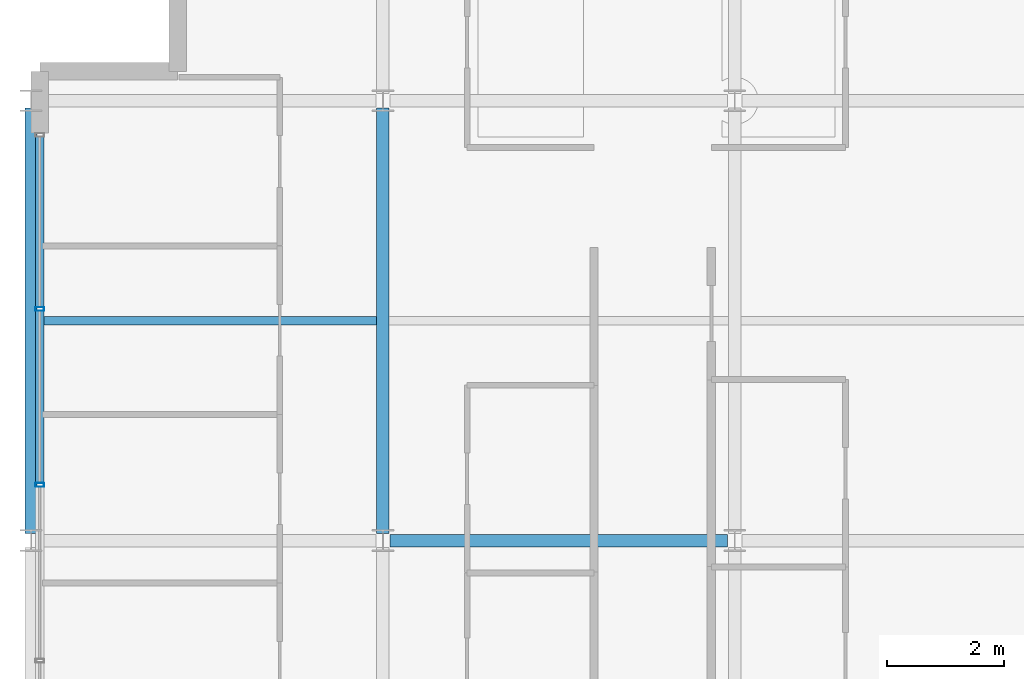
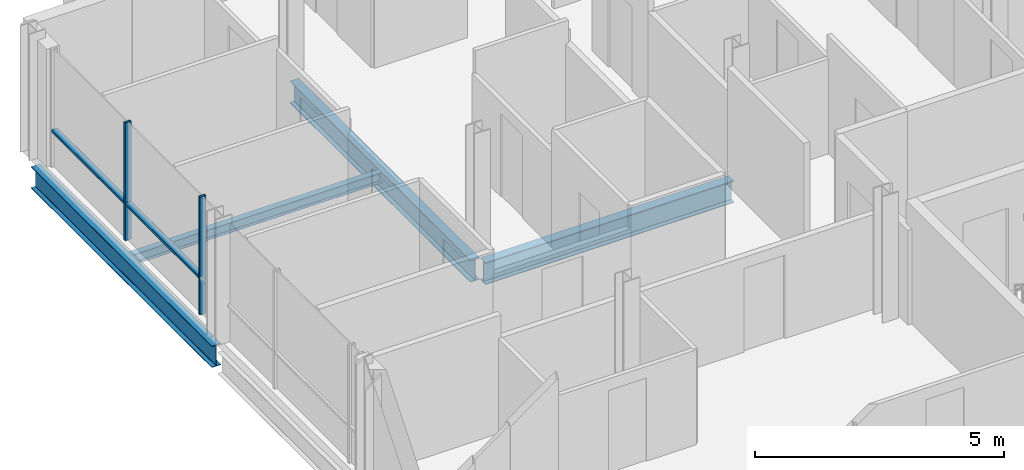
# One storey, part 6 of 29: 4 beams, 4 members, 1 element without a shape of its own.
"""IFC4 building model written with IfcOpenShell, lengths in metres."""

from ifc_helpers import new_model, si_unit, direction, frame, origin, origin_2d, place, context, subcontext, project, spatial, hollow_rectangle, i_section, extrude, material, layer, layer_set, material_profile, profile_set, type_object, element, aggregate, save


model = new_model("IFC4")

# Units and contexts
model_context = context("Model", 3, precision=1e-05, world=origin(), true_north=direction((0.0, 1.0)))
body_context = subcontext(model_context, "Body", "Model", "MODEL_VIEW")
ifc_project = project(units=[si_unit("LENGTHUNIT", "METRE"), si_unit("AREAUNIT", "SQUARE_METRE"), si_unit("VOLUMEUNIT", "CUBIC_METRE"), si_unit("PLANEANGLEUNIT", "RADIAN"), si_unit("MASSUNIT", "GRAM", prefix="KILO")], contexts=[model_context])

# Site, building, storey
site_placement = place(None, origin())
site = spatial("IfcSite", under=ifc_project, at=site_placement, CompositionType="ELEMENT")
building_placement = place(site_placement, origin())
building = spatial("IfcBuilding", under=site, at=building_placement, Name="Brevholm Reach", CompositionType="ELEMENT")
storey_placement = place(building_placement, frame((0.0, 0.0, 208.0)))
storey = spatial("IfcBuildingStorey", under=building, at=storey_placement, Name="L63", CompositionType="ELEMENT", Elevation=208.0)

# Beams
ifc_material_1 = material(Name="Structural Steel S355J2", Category="steel")
ifc_material_profile_1 = material_profile(ifc_material_1, i_section(OverallWidth=0.14599609375, OverallDepth=0.25146484375, WebThickness=0.006103515625, FlangeThickness=0.008544921875, FilletRadius=0.007568359375, at=origin_2d()), Name="UKB 254x146x31")
ifc_profile_set_1 = profile_set([ifc_material_profile_1], Name="Structural Steel S355J2")
beam_type_1 = type_object("IfcBeamType", Name="BM-B254", PredefinedType="BEAM", material=ifc_profile_set_1)
beam_1_placement = place(storey_placement, frame((0.104736328125, 19.75, -0.335693359375), z_axis=(1.0, 0.0, 0.0), x_axis=(0.0, 1.0, 0.0)))
element("IfcBeam", 1, at=beam_1_placement, inside=storey, type_object=beam_type_1, Name="L63 Composite Secondary Floor Beam", PredefinedType="BEAM", context=body_context, shape_type="SweptSolid", body=[
    extrude(i_section(OverallWidth=0.14599609375, OverallDepth=0.25146484375, WebThickness=0.006103515625, FlangeThickness=0.008544921875, FilletRadius=0.007568359375, at=origin_2d()), origin(), (0.0, 0.0, 1.0), 5.789794921875),
])
ifc_material_2 = material(Name="Structural Steel S355J2", Category="steel")
ifc_material_profile_2 = material_profile(ifc_material_2, i_section(OverallWidth=0.209228515625, OverallDepth=0.533203125, WebThickness=0.010009765625, FlangeThickness=0.015625, FilletRadius=0.0126953125, at=origin_2d()), Name="UKB 533x210x92")
ifc_profile_set_2 = profile_set([ifc_material_profile_2], Name="Structural Steel S355J2")
beam_type_2 = type_object("IfcBeamType", Name="BM-SP533", PredefinedType="SPANDREL", material=ifc_profile_set_2)
beam_2_placement = place(storey_placement, frame((0.0, 16.1201171875, -0.4765625), z_axis=(0.0, 1.0, 0.0), x_axis=(-1.0, 0.0, 0.0)))
element("IfcBeam", 2, at=beam_2_placement, inside=storey, type_object=beam_type_2, Name="L63 SP-02 Framing Beam", PredefinedType="SPANDREL", context=body_context, shape_type="SweptSolid", body=[
    extrude(i_section(OverallWidth=0.209228515625, OverallDepth=0.533203125, WebThickness=0.010009765625, FlangeThickness=0.015625, FilletRadius=0.0126953125, at=origin_2d()), origin(), (0.0, 0.0, 1.0), 7.259765625),
])
ifc_material_3 = material(Name="Structural Steel S355J2", Category="steel")
ifc_material_profile_3 = material_profile(ifc_material_3, i_section(OverallWidth=0.210693359375, OverallDepth=0.53955078125, WebThickness=0.01171875, FlangeThickness=0.018798828125, FilletRadius=0.0126953125, at=origin_2d()), Name="UKB 533x210x109")
ifc_profile_set_3 = profile_set([ifc_material_profile_3], Name="Structural Steel S355J2")
beam_type_3 = type_object("IfcBeamType", Name="BM-SP539", PredefinedType="SPANDREL", material=ifc_profile_set_3)
beam_3_placement = place(storey_placement, frame((6.1201171875, 16.0, -0.479736328125), z_axis=(1.0, 0.0, 0.0), x_axis=(0.0, 1.0, 0.0)))
element("IfcBeam", 3, at=beam_3_placement, inside=storey, type_object=beam_type_3, Name="L63 SP-01B Framing Beam", PredefinedType="SPANDREL", context=body_context, shape_type="SweptSolid", body=[
    extrude(i_section(OverallWidth=0.210693359375, OverallDepth=0.53955078125, WebThickness=0.01171875, FlangeThickness=0.018798828125, FilletRadius=0.0126953125, at=origin_2d()), origin(), (0.0, 0.0, 1.0), 5.759765625),
])
beam_4_placement = place(storey_placement, frame((6.0, 16.1201171875, -0.479736328125), z_axis=(0.0, 1.0, 0.0), x_axis=(-1.0, 0.0, 0.0)))
element("IfcBeam", 4, at=beam_4_placement, inside=storey, type_object=beam_type_3, Name="L63 SP-01B Framing Beam", PredefinedType="SPANDREL", context=body_context, shape_type="SweptSolid", body=[
    extrude(i_section(OverallWidth=0.210693359375, OverallDepth=0.53955078125, WebThickness=0.01171875, FlangeThickness=0.018798828125, FilletRadius=0.0126953125, at=origin_2d()), origin(), (0.0, 0.0, 1.0), 7.259765625),
])

# Curtain wall, members
ifc_material_4 = material(Name="Dark Anodised Aluminium 6063-T6 and Solar-Control Glass", Category="aluminium")
ifc_layer = layer(ifc_material_4, 0.14990234375)
ifc_layer_set = layer_set([ifc_layer], Name="Dark Anodised Aluminium 6063-T6 and Solar-Control Glass")
curtain_wall_type = type_object("IfcCurtainWallType", Name="CW-01", PredefinedType="NOTDEFINED", material=ifc_layer_set)
curtain_wall_placement = place(storey_placement, origin())
curtain_wall = element("IfcCurtainWall", 5, at=curtain_wall_placement, inside=storey, type_object=curtain_wall_type, Name="L63 Curtain Wall CW-01", PredefinedType="NOTDEFINED")
ifc_material_5 = material(Name="Dark Anodised Aluminium 6063-T6", Category="aluminium")
ifc_material_profile_4 = material_profile(ifc_material_5, hollow_rectangle(XDim=0.06494140625, YDim=0.14990234375, WallThickness=0.0048828125, InnerFilletRadius=0.0048828125, OuterFilletRadius=0.010009765625, at=origin_2d()), Name="RHS 150x65x5")
ifc_profile_set_4 = profile_set([ifc_material_profile_4], Name="Dark Anodised Aluminium 6063-T6")
member_type_1 = type_object("IfcMemberType", Name="CWM-150", PredefinedType="MULLION", material=ifc_profile_set_4)
member_1_placement = place(storey_placement, frame((0.14990234375, 19.949951171875, 0.0), z_axis=(0.0, 0.0, 1.0), x_axis=(0.0, -1.0, 0.0)))
member_1 = element("IfcMember", 6, at=member_1_placement, type_object=member_type_1, Name="CM-150 Mullion 2", PredefinedType="MULLION", context=body_context, shape_type="SweptSolid", body=[
    extrude(hollow_rectangle(XDim=0.06494140625, YDim=0.14990234375, WallThickness=0.0048828125, InnerFilletRadius=0.0048828125, OuterFilletRadius=0.010009765625, at=origin_2d()), origin(), (0.0, 0.0, 1.0), 2.889892578125),
])
member_2_placement = place(storey_placement, frame((0.14990234375, 16.949951171875, 0.0), z_axis=(0.0, 0.0, 1.0), x_axis=(0.0, -1.0, 0.0)))
member_2 = element("IfcMember", 7, at=member_2_placement, type_object=member_type_1, Name="CM-150 Mullion 3", PredefinedType="MULLION", context=body_context, shape_type="SweptSolid", body=[
    extrude(hollow_rectangle(XDim=0.06494140625, YDim=0.14990234375, WallThickness=0.0048828125, InnerFilletRadius=0.0048828125, OuterFilletRadius=0.010009765625, at=origin_2d()), origin(), (0.0, 0.0, 1.0), 2.889892578125),
])
ifc_material_6 = material(Name="Dark Anodised Aluminium 6063-T6", Category="aluminium")
ifc_material_profile_5 = material_profile(ifc_material_6, hollow_rectangle(XDim=0.06494140625, YDim=0.14990234375, WallThickness=0.0048828125, InnerFilletRadius=0.0048828125, OuterFilletRadius=0.010009765625, at=origin_2d()), Name="RHS 150x65x5")
ifc_profile_set_5 = profile_set([ifc_material_profile_5], Name="Dark Anodised Aluminium 6063-T6")
member_type_2 = type_object("IfcMemberType", Name="CWT-150", PredefinedType="NOTDEFINED", material=ifc_profile_set_5)
member_3_placement = place(storey_placement, frame((0.14990234375, 22.885009765625, 0.89990234375), z_axis=(0.0, -1.0, 0.0), x_axis=(0.0, 0.0, 1.0)))
member_3 = element("IfcMember", 8, at=member_3_placement, type_object=member_type_2, Name="CT-150 Transom 1.1", ObjectType="TRANSOM", PredefinedType="USERDEFINED", context=body_context, shape_type="SweptSolid", body=[
    extrude(hollow_rectangle(XDim=0.06494140625, YDim=0.14990234375, WallThickness=0.0048828125, InnerFilletRadius=0.0048828125, OuterFilletRadius=0.010009765625, at=origin_2d()), origin(), (0.0, 0.0, 1.0), 2.902587890625),
])
member_4_placement = place(storey_placement, frame((0.14990234375, 19.91748046875, 0.89990234375), z_axis=(0.0, -1.0, 0.0), x_axis=(0.0, 0.0, 1.0)))
member_4 = element("IfcMember", 9, at=member_4_placement, type_object=member_type_2, Name="CT-150 Transom 2.1", ObjectType="TRANSOM", PredefinedType="USERDEFINED", context=body_context, shape_type="SweptSolid", body=[
    extrude(hollow_rectangle(XDim=0.06494140625, YDim=0.14990234375, WallThickness=0.0048828125, InnerFilletRadius=0.0048828125, OuterFilletRadius=0.010009765625, at=origin_2d()), origin(), (0.0, 0.0, 1.0), 2.93505859375),
])
aggregate(curtain_wall, [member_1, member_2, member_3, member_4])

save(model, "model.ifc")
